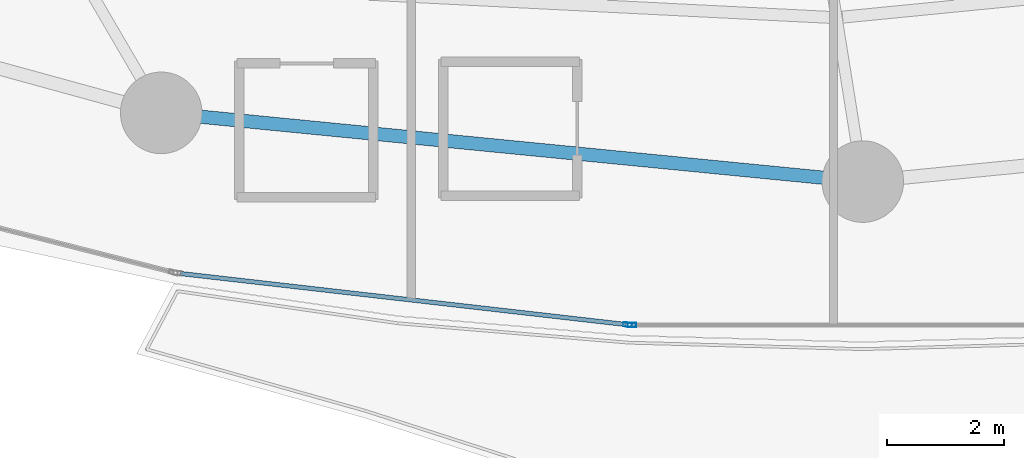
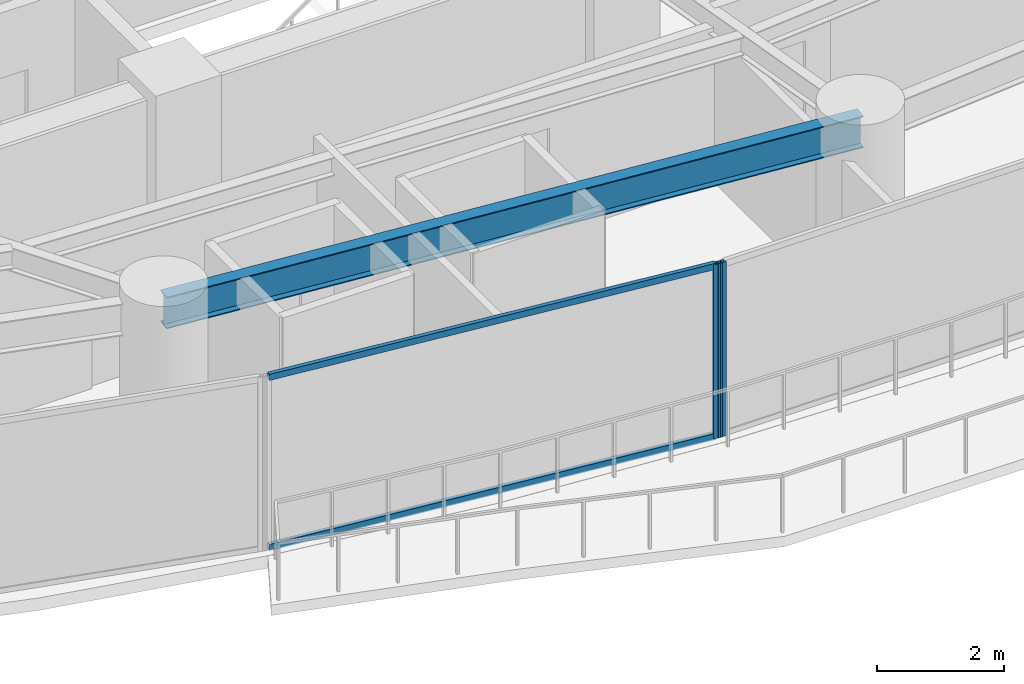
# One storey, part 6 of 32: 4 members, 1 beam, 2 elements without a shape of their own.
"""IFC4 building model written with IfcOpenShell, lengths in metres."""

from ifc_helpers import new_model, si_unit, direction, frame, origin, origin_2d, place, context, subcontext, project, spatial, hollow_rectangle, i_section, extrude, material, layer, layer_set, material_profile, profile_set, type_object, element, aggregate, save


model = new_model("IFC4")

# Units and contexts
model_context = context("Model", 3, precision=1e-05, world=origin(), true_north=direction((0.0, 1.0)))
body_context = subcontext(model_context, "Body", "Model", "MODEL_VIEW")
ifc_project = project(units=[si_unit("LENGTHUNIT", "METRE"), si_unit("AREAUNIT", "SQUARE_METRE"), si_unit("VOLUMEUNIT", "CUBIC_METRE"), si_unit("PLANEANGLEUNIT", "RADIAN"), si_unit("MASSUNIT", "GRAM", prefix="KILO")], contexts=[model_context])

# Site, building, storey
site_placement = place(None, origin())
site = spatial("IfcSite", under=ifc_project, at=site_placement, CompositionType="ELEMENT")
building_placement = place(site_placement, origin())
building = spatial("IfcBuilding", under=site, at=building_placement, Name="Kazevale Care Tower and Concert Hall", CompositionType="ELEMENT")
storey_placement = place(building_placement, frame((0.0, 0.0, 38.39990234375)))
storey = spatial("IfcBuildingStorey", under=building, at=storey_placement, Name="L09", CompositionType="ELEMENT", Elevation=38.39990234375)

# Curtain wall, member
ifc_material_1 = material(Name="Aluminium 6063-T6 and Low-E Glass", Category="aluminium")
ifc_layer = layer(ifc_material_1, 0.179931640625)
ifc_layer_set = layer_set([ifc_layer], Name="Aluminium 6063-T6 and Low-E Glass")
curtain_wall_type = type_object("IfcCurtainWallType", Name="Sheltered Concave Balcony Curtain Wall CW-5", PredefinedType="NOTDEFINED", material=ifc_layer_set)
curtain_wall_1_placement = place(storey_placement, origin())
curtain_wall_1 = element("IfcCurtainWall", 1, at=curtain_wall_1_placement, inside=storey, type_object=curtain_wall_type, Name="cw:L09:f06", PredefinedType="NOTDEFINED")
ifc_material_2 = material(Name="Aluminium 6063-T6", Category="aluminium")
ifc_material_profile_1 = material_profile(ifc_material_2, hollow_rectangle(XDim=0.074951171875, YDim=0.14990234375, WallThickness=0.00390625, at=origin_2d()), Name="ALU75x150x4")
ifc_profile_set_1 = profile_set([ifc_material_profile_1], Name="Aluminium 6063-T6")
member_type_1 = type_object("IfcMemberType", Name="CW-5 Mullion ALU75x150x4", PredefinedType="MULLION", material=ifc_profile_set_1)
member_1_placement = place(storey_placement, frame((41.03955078125, 14.889892578125, 0.0), z_axis=(0.0, 0.0, 1.0), x_axis=(0.0, -1.0, 0.0)))
member_1 = element("IfcMember", 2, at=member_1_placement, type_object=member_type_1, Name="CW-5 mullion 2", PredefinedType="MULLION", context=body_context, shape_type="SweptSolid", body=[
    extrude(hollow_rectangle(XDim=0.074951171875, YDim=0.14990234375, WallThickness=0.00390625, at=origin_2d()), origin(), (0.0, 0.0, 1.0), 3.360107421875),
])
aggregate(curtain_wall_1, [member_1])

# Curtain wall, members
curtain_wall_2_placement = place(storey_placement, origin())
curtain_wall_2 = element("IfcCurtainWall", 3, at=curtain_wall_2_placement, inside=storey, type_object=curtain_wall_type, Name="cw:L09:f07", PredefinedType="NOTDEFINED")
member_2_placement = place(storey_placement, frame((40.96484375, 14.894287109375, 0.0), z_axis=(0.0, 0.0, 1.0), x_axis=(-0.113704773808, -0.993514581883, 0.0)))
member_2 = element("IfcMember", 4, at=member_2_placement, type_object=member_type_1, Name="CW-5 mullion 1", PredefinedType="MULLION", context=body_context, shape_type="SweptSolid", body=[
    extrude(hollow_rectangle(XDim=0.074951171875, YDim=0.14990234375, WallThickness=0.00390625, at=origin_2d()), origin(), (0.0, 0.0, 1.0), 3.360107421875),
])
ifc_material_profile_2 = material_profile(ifc_material_2, hollow_rectangle(XDim=0.074951171875, YDim=0.1201171875, WallThickness=0.00390625, at=origin_2d()), Name="ALU75x120x4")
ifc_profile_set_2 = profile_set([ifc_material_profile_2], Name="Aluminium 6063-T6")
member_type_2 = type_object("IfcMemberType", Name="CW-5 Transom ALU75x120x4", PredefinedType="USERDEFINED", material=ifc_profile_set_2)
member_3_placement = place(storey_placement, frame((40.927490234375, 14.8984375, 0.03759765625), z_axis=(-0.993513842403, 0.113711234948, 0.0), x_axis=(-0.113711234948, -0.993513842403, 0.0)))
member_3 = element("IfcMember", 5, at=member_3_placement, type_object=member_type_2, Name="CW-5 transom 1.1", ObjectType="TRANSOM", PredefinedType="USERDEFINED", context=body_context, shape_type="SweptSolid", body=[
    extrude(hollow_rectangle(XDim=0.074951171875, YDim=0.1201171875, WallThickness=0.00390625, at=origin_2d()), origin(), (0.0, 0.0, 1.0), 7.69482421875),
])
member_4_placement = place(storey_placement, frame((40.927490234375, 14.8984375, 3.322509765625), z_axis=(-0.993513842403, 0.113711234948, 0.0), x_axis=(-0.113711234948, -0.993513842403, 0.0)))
member_4 = element("IfcMember", 6, at=member_4_placement, type_object=member_type_2, Name="CW-5 transom 1.2", ObjectType="TRANSOM", PredefinedType="USERDEFINED", context=body_context, shape_type="SweptSolid", body=[
    extrude(hollow_rectangle(XDim=0.074951171875, YDim=0.1201171875, WallThickness=0.00390625, at=origin_2d()), origin(), (0.0, 0.0, 1.0), 7.69482421875),
])
aggregate(curtain_wall_2, [member_2, member_3, member_4])

# Beam
ifc_material_3 = material(Name="Steel ASTM A572 Gr 50", Category="steel")
ifc_material_profile_3 = material_profile(ifc_material_3, i_section(OverallWidth=0.22900390625, OverallDepth=0.612060546875, WebThickness=0.011962890625, FlangeThickness=0.01953125, at=origin_2d()), Name="W610x125")
ifc_profile_set_3 = profile_set([ifc_material_profile_3], Name="Steel ASTM A572 Gr 50")
beam_type = type_object("IfcBeamType", Name="Ring Spandrel Beam W610x125", PredefinedType="SPANDREL", material=ifc_profile_set_3)
beam_placement = place(storey_placement, frame((32.9599609375, 18.530029296875, 3.05419921875), z_axis=(0.995232251602, -0.09753340644, 0.0), x_axis=(0.09753340644, 0.995232251602, 0.0)))
element("IfcBeam", 7, at=beam_placement, inside=storey, type_object=beam_type, Name="beam:L09:ring:12", PredefinedType="SPANDREL", context=body_context, shape_type="SweptSolid", body=[
    extrude(i_section(OverallWidth=0.22900390625, OverallDepth=0.612060546875, WebThickness=0.011962890625, FlangeThickness=0.01953125, at=origin_2d()), origin(), (0.0, 0.0, 1.0), 12.09765625),
])

save(model, "model.ifc")
